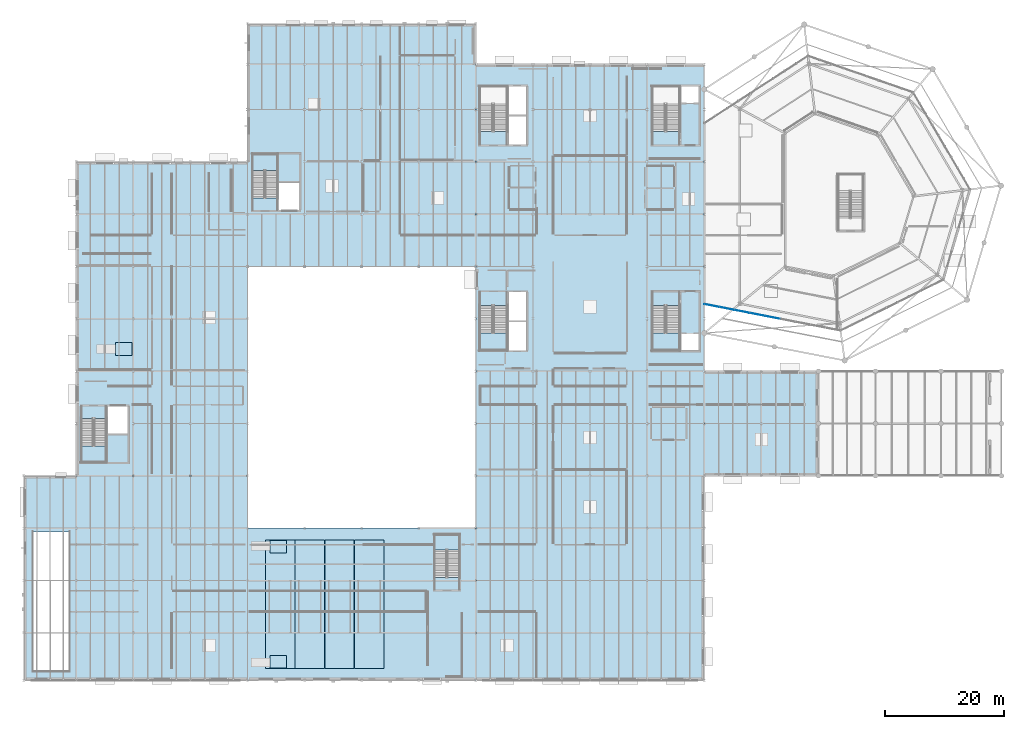
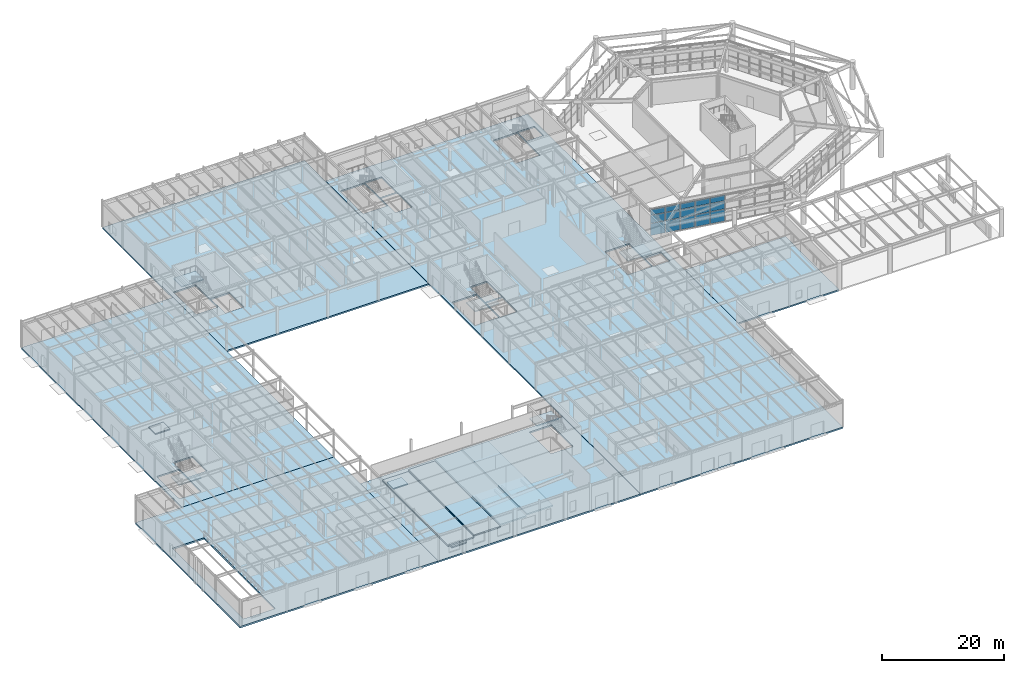
# One storey, part 37 of 70: 18 slabs, 15 plates, 7 elements without a shape of their own.
"""IFC4 building model written with IfcOpenShell, lengths in metres."""

from ifc_helpers import new_model, si_unit, direction, frame, origin, origin_2d, place, context, subcontext, project, spatial, polyline, rectangle, outline, extrude, material, layer, layer_set, type_object, element, aggregate, save


model = new_model("IFC4")

# Units and contexts
model_context = context("Model", 3, precision=1e-05, world=origin(), true_north=direction((0.0, 1.0)))
body_context = subcontext(model_context, "Body", "Model", "MODEL_VIEW")
ifc_project = project(units=[si_unit("LENGTHUNIT", "METRE"), si_unit("AREAUNIT", "SQUARE_METRE"), si_unit("VOLUMEUNIT", "CUBIC_METRE"), si_unit("PLANEANGLEUNIT", "RADIAN"), si_unit("MASSUNIT", "GRAM", prefix="KILO")], contexts=[model_context])

# Site, building, storey
site_placement = place(None, origin())
site = spatial("IfcSite", under=ifc_project, at=site_placement, CompositionType="ELEMENT")
building_placement = place(site_placement, origin())
building = spatial("IfcBuilding", under=site, at=building_placement, Name="Sarnbrook Museum", CompositionType="ELEMENT")
storey_placement = place(building_placement, origin())
storey = spatial("IfcBuildingStorey", under=building, at=storey_placement, Name="L00", CompositionType="ELEMENT", Elevation=0.0)

# Curtain wall, plates
ifc_material_1 = material(Name="Thermally Broken Anodised Aluminium 6063-T6", Category="aluminium")
curtain_wall_type = type_object("IfcCurtainWallType", Name="CurtainWall_Colonnade", PredefinedType="NOTDEFINED", material=ifc_material_1)
curtain_wall_1_placement = place(storey_placement, origin())
curtain_wall_1 = element("IfcCurtainWall", 1, at=curtain_wall_1_placement, inside=storey, type_object=curtain_wall_type, Name="Colonnade Recessed Glazing L00-F1.1", PredefinedType="NOTDEFINED")
ifc_material_2 = material(Name="Double-Glazed Low-Iron Laminated Safety Glass", Category="glass")
ifc_layer_1 = layer(ifc_material_2, 0.031982421875)
ifc_layer_set_1 = layer_set([ifc_layer_1], Name="Double-Glazed Low-Iron Laminated Safety Glass")
plate_type = type_object("IfcPlateType", Name="CW_GlazedPanel_32", PredefinedType="CURTAIN_PANEL", material=ifc_layer_set_1)
plate_1_placement = place(storey_placement, frame((120.475341796875, 67.849853515625, 1.22509765625), z_axis=(-0.191314393013, -0.981528809066, 0.0), x_axis=(0.981528809066, -0.191314393013, 0.0)))
plate_1 = element("IfcPlate", 2, at=plate_1_placement, type_object=plate_type, Name="Colonnade Recessed Glazing L00-F1.1 Glazed Panel 1-1", PredefinedType="CURTAIN_PANEL", context=body_context, shape_type="SweptSolid", body=[
    extrude(rectangle(XDim=2.52001953125, YDim=2.3798828125, at=origin_2d()), origin(), (0.0, 0.0, 1.0), 0.031982421875),
])
plate_2_placement = place(storey_placement, frame((120.475341796875, 67.849853515625, 3.27490234375), z_axis=(-0.191314393013, -0.981528809066, 0.0), x_axis=(0.981528809066, -0.191314393013, 0.0)))
plate_2 = element("IfcPlate", 3, at=plate_2_placement, type_object=plate_type, Name="Colonnade Recessed Glazing L00-F1.1 Glazed Panel 1-2", PredefinedType="CURTAIN_PANEL", context=body_context, shape_type="SweptSolid", body=[
    extrude(rectangle(XDim=2.52001953125, YDim=1.580078125, at=origin_2d()), origin(), (0.0, 0.0, 1.0), 0.031982421875),
])
plate_3_placement = place(storey_placement, frame((120.475341796875, 67.849853515625, 4.695068359375), z_axis=(-0.191314393013, -0.981528809066, 0.0), x_axis=(0.981528809066, -0.191314393013, 0.0)))
plate_3 = element("IfcPlate", 4, at=plate_3_placement, type_object=plate_type, Name="Colonnade Recessed Glazing L00-F1.1 Glazed Panel 1-3", PredefinedType="CURTAIN_PANEL", context=body_context, shape_type="SweptSolid", body=[
    extrude(rectangle(XDim=2.52001953125, YDim=1.1201171875, at=origin_2d()), origin(), (0.0, 0.0, 1.0), 0.031982421875),
])
plate_4_placement = place(storey_placement, frame((123.0224609375, 67.353271484375, 1.22509765625), z_axis=(-0.191314393013, -0.981528809066, 0.0), x_axis=(0.981528809066, -0.191314393013, 0.0)))
plate_4 = element("IfcPlate", 5, at=plate_4_placement, type_object=plate_type, Name="Colonnade Recessed Glazing L00-F1.1 Glazed Panel 2-1", PredefinedType="CURTAIN_PANEL", context=body_context, shape_type="SweptSolid", body=[
    extrude(rectangle(XDim=2.52001953125, YDim=2.3798828125, at=origin_2d()), origin(), (0.0, 0.0, 1.0), 0.031982421875),
])
plate_5_placement = place(storey_placement, frame((123.0224609375, 67.353271484375, 3.27490234375), z_axis=(-0.191314393013, -0.981528809066, 0.0), x_axis=(0.981528809066, -0.191314393013, 0.0)))
plate_5 = element("IfcPlate", 6, at=plate_5_placement, type_object=plate_type, Name="Colonnade Recessed Glazing L00-F1.1 Glazed Panel 2-2", PredefinedType="CURTAIN_PANEL", context=body_context, shape_type="SweptSolid", body=[
    extrude(rectangle(XDim=2.52001953125, YDim=1.580078125, at=origin_2d()), origin(), (0.0, 0.0, 1.0), 0.031982421875),
])
plate_6_placement = place(storey_placement, frame((123.0224609375, 67.353271484375, 4.695068359375), z_axis=(-0.191314393013, -0.981528809066, 0.0), x_axis=(0.981528809066, -0.191314393013, 0.0)))
plate_6 = element("IfcPlate", 7, at=plate_6_placement, type_object=plate_type, Name="Colonnade Recessed Glazing L00-F1.1 Glazed Panel 2-3", PredefinedType="CURTAIN_PANEL", context=body_context, shape_type="SweptSolid", body=[
    extrude(rectangle(XDim=2.52001953125, YDim=1.1201171875, at=origin_2d()), origin(), (0.0, 0.0, 1.0), 0.031982421875),
])
plate_7_placement = place(storey_placement, frame((125.569580078125, 66.85693359375, 1.22509765625), z_axis=(-0.191314393013, -0.981528809066, 0.0), x_axis=(0.981528809066, -0.191314393013, 0.0)))
plate_7 = element("IfcPlate", 8, at=plate_7_placement, type_object=plate_type, Name="Colonnade Recessed Glazing L00-F1.1 Glazed Panel 3-1", PredefinedType="CURTAIN_PANEL", context=body_context, shape_type="SweptSolid", body=[
    extrude(rectangle(XDim=2.52001953125, YDim=2.3798828125, at=origin_2d()), origin(), (0.0, 0.0, 1.0), 0.031982421875),
])
plate_8_placement = place(storey_placement, frame((125.569580078125, 66.85693359375, 3.27490234375), z_axis=(-0.191314393013, -0.981528809066, 0.0), x_axis=(0.981528809066, -0.191314393013, 0.0)))
plate_8 = element("IfcPlate", 9, at=plate_8_placement, type_object=plate_type, Name="Colonnade Recessed Glazing L00-F1.1 Glazed Panel 3-2", PredefinedType="CURTAIN_PANEL", context=body_context, shape_type="SweptSolid", body=[
    extrude(rectangle(XDim=2.52001953125, YDim=1.580078125, at=origin_2d()), origin(), (0.0, 0.0, 1.0), 0.031982421875),
])
plate_9_placement = place(storey_placement, frame((125.569580078125, 66.85693359375, 4.695068359375), z_axis=(-0.191314393013, -0.981528809066, 0.0), x_axis=(0.981528809066, -0.191314393013, 0.0)))
plate_9 = element("IfcPlate", 10, at=plate_9_placement, type_object=plate_type, Name="Colonnade Recessed Glazing L00-F1.1 Glazed Panel 3-3", PredefinedType="CURTAIN_PANEL", context=body_context, shape_type="SweptSolid", body=[
    extrude(rectangle(XDim=2.52001953125, YDim=1.1201171875, at=origin_2d()), origin(), (0.0, 0.0, 1.0), 0.031982421875),
])
aggregate(curtain_wall_1, [plate_1, plate_2, plate_3, plate_4, plate_5, plate_6, plate_7, plate_8, plate_9])

curtain_wall_2_placement = place(storey_placement, origin())
curtain_wall_2 = element("IfcCurtainWall", 11, at=curtain_wall_2_placement, inside=storey, type_object=curtain_wall_type, Name="Colonnade Recessed Glazing L00-F1.2", PredefinedType="NOTDEFINED")
plate_10_placement = place(storey_placement, frame((128.116943359375, 66.3603515625, 1.22509765625), z_axis=(-0.191314393013, -0.981528809066, 0.0), x_axis=(0.981528809066, -0.191314393013, 0.0)))
plate_10 = element("IfcPlate", 12, at=plate_10_placement, type_object=plate_type, Name="Colonnade Recessed Glazing L00-F1.2 Glazed Panel 1-1", PredefinedType="CURTAIN_PANEL", context=body_context, shape_type="SweptSolid", body=[
    extrude(rectangle(XDim=2.52001953125, YDim=2.3798828125, at=origin_2d()), origin(), (0.0, 0.0, 1.0), 0.031982421875),
])
plate_11_placement = place(storey_placement, frame((128.116943359375, 66.3603515625, 3.27490234375), z_axis=(-0.191314393013, -0.981528809066, 0.0), x_axis=(0.981528809066, -0.191314393013, 0.0)))
plate_11 = element("IfcPlate", 13, at=plate_11_placement, type_object=plate_type, Name="Colonnade Recessed Glazing L00-F1.2 Glazed Panel 1-2", PredefinedType="CURTAIN_PANEL", context=body_context, shape_type="SweptSolid", body=[
    extrude(rectangle(XDim=2.52001953125, YDim=1.580078125, at=origin_2d()), origin(), (0.0, 0.0, 1.0), 0.031982421875),
])
plate_12_placement = place(storey_placement, frame((128.116943359375, 66.3603515625, 4.695068359375), z_axis=(-0.191314393013, -0.981528809066, 0.0), x_axis=(0.981528809066, -0.191314393013, 0.0)))
plate_12 = element("IfcPlate", 14, at=plate_12_placement, type_object=plate_type, Name="Colonnade Recessed Glazing L00-F1.2 Glazed Panel 1-3", PredefinedType="CURTAIN_PANEL", context=body_context, shape_type="SweptSolid", body=[
    extrude(rectangle(XDim=2.52001953125, YDim=1.1201171875, at=origin_2d()), origin(), (0.0, 0.0, 1.0), 0.031982421875),
])
plate_13_placement = place(storey_placement, frame((130.6640625, 65.86376953125, 1.22509765625), z_axis=(-0.191314393013, -0.981528809066, 0.0), x_axis=(0.981528809066, -0.191314393013, 0.0)))
plate_13 = element("IfcPlate", 15, at=plate_13_placement, type_object=plate_type, Name="Colonnade Recessed Glazing L00-F1.2 Glazed Panel 2-1", PredefinedType="CURTAIN_PANEL", context=body_context, shape_type="SweptSolid", body=[
    extrude(rectangle(XDim=2.52001953125, YDim=2.3798828125, at=origin_2d()), origin(), (0.0, 0.0, 1.0), 0.031982421875),
])
plate_14_placement = place(storey_placement, frame((130.6640625, 65.86376953125, 3.27490234375), z_axis=(-0.191314393013, -0.981528809066, 0.0), x_axis=(0.981528809066, -0.191314393013, 0.0)))
plate_14 = element("IfcPlate", 16, at=plate_14_placement, type_object=plate_type, Name="Colonnade Recessed Glazing L00-F1.2 Glazed Panel 2-2", PredefinedType="CURTAIN_PANEL", context=body_context, shape_type="SweptSolid", body=[
    extrude(rectangle(XDim=2.52001953125, YDim=1.580078125, at=origin_2d()), origin(), (0.0, 0.0, 1.0), 0.031982421875),
])
plate_15_placement = place(storey_placement, frame((130.6640625, 65.86376953125, 4.695068359375), z_axis=(-0.191314393013, -0.981528809066, 0.0), x_axis=(0.981528809066, -0.191314393013, 0.0)))
plate_15 = element("IfcPlate", 17, at=plate_15_placement, type_object=plate_type, Name="Colonnade Recessed Glazing L00-F1.2 Glazed Panel 2-3", PredefinedType="CURTAIN_PANEL", context=body_context, shape_type="SweptSolid", body=[
    extrude(rectangle(XDim=2.52001953125, YDim=1.1201171875, at=origin_2d()), origin(), (0.0, 0.0, 1.0), 0.031982421875),
])
aggregate(curtain_wall_2, [plate_10, plate_11, plate_12, plate_13, plate_14, plate_15])

# Slabs
ifc_material_3 = material(Name="Concrete N40 (AS 3600, f'c = 40 MPa)", Category="concrete")
ifc_layer_2 = layer(ifc_material_3, 0.2900390625)
ifc_layer_set_2 = layer_set([ifc_layer_2], Name="Concrete N40 (AS 3600, f'c = 40 MPa)")
slab_type_1 = type_object("IfcSlabType", Name="FloorSlab_290", PredefinedType="FLOOR", material=ifc_layer_set_2)
slab_1_placement = place(storey_placement, frame((0.0, 0.0, -0.2900390625)))
element("IfcSlab", 18, at=slab_1_placement, inside=storey, type_object=slab_type_1, Name="V3E Structural Slab L00", PredefinedType="FLOOR", context=body_context, shape_type="SweptSolid", body=[
    extrude(outline(polyline([(138.364990234375, 56.800048828125), (138.364990234375, 39.199951171875), (119.2041015625, 39.199951171875), (119.2041015625, 56.800048828125), (138.364990234375, 56.800048828125)])), origin(), (0.0, 0.0, 1.0), 0.2900390625),
])
ifc_layer_3 = layer(ifc_material_3, 0.300048828125)
ifc_layer_set_3 = layer_set([ifc_layer_3], Name="Concrete N40 (AS 3600, f'c = 40 MPa)")
slab_type_2 = type_object("IfcSlabType", Name="FloorSlab_300", PredefinedType="FLOOR", material=ifc_layer_set_3)
slab_2_placement = place(storey_placement, frame((0.0, 0.0, -0.300048828125)))
element("IfcSlab", 19, at=slab_2_placement, inside=storey, type_object=slab_type_2, Name="V2 Structural Slab L00", PredefinedType="FLOOR", context=body_context, shape_type="SweptSolid", body=[
    extrude(outline(polyline([(80.8349609375, 4.800048828125), (80.8349609375, 108.39990234375), (119.199951171875, 108.39990234375), (119.199951171875, 98.48291015625), (119.196044921875, 98.48046875), (119.196044921875, 68.0869140625), (119.199951171875, 68.086181640625), (119.199951171875, 4.800048828125), (80.8349609375, 4.800048828125)]), holes=[polyline([(115.199951171875, 63.179931640625), (118.39990234375, 63.179931640625), (118.39990234375, 60.199951171875), (115.199951171875, 60.199951171875), (115.199951171875, 63.179931640625)]), polyline([(86.199951171875, 65.179931640625), (89.39990234375, 65.179931640625), (89.39990234375, 60.199951171875), (86.199951171875, 60.199951171875), (86.199951171875, 65.179931640625)]), polyline([(81.43994140625, 67.879638671875), (86.06005859375, 67.879638671875), (86.06005859375, 60.300048828125), (81.43994140625, 60.300048828125), (81.43994140625, 67.879638671875)]), polyline([(115.06005859375, 67.879638671875), (115.06005859375, 60.300048828125), (110.43994140625, 60.300048828125), (110.43994140625, 67.879638671875), (115.06005859375, 67.879638671875)]), polyline([(89.39990234375, 70.199951171875), (89.39990234375, 65.219970703125), (86.199951171875, 65.219970703125), (86.199951171875, 70.199951171875), (89.39990234375, 70.199951171875)]), polyline([(86.199951171875, 99.780029296875), (89.39990234375, 99.780029296875), (89.39990234375, 94.800048828125), (86.199951171875, 94.800048828125), (86.199951171875, 99.780029296875)]), polyline([(81.43994140625, 104.699951171875), (86.06005859375, 104.699951171875), (86.06005859375, 97.120361328125), (81.43994140625, 97.120361328125), (81.43994140625, 104.699951171875)]), polyline([(110.43994140625, 104.699951171875), (115.06005859375, 104.699951171875), (115.06005859375, 97.120361328125), (110.43994140625, 97.120361328125), (110.43994140625, 104.699951171875)]), polyline([(89.39990234375, 99.820068359375), (86.199951171875, 99.820068359375), (86.199951171875, 104.800048828125), (89.39990234375, 104.800048828125), (89.39990234375, 99.820068359375)]), polyline([(118.39990234375, 101.820068359375), (115.199951171875, 101.820068359375), (115.199951171875, 104.800048828125), (118.39990234375, 104.800048828125), (118.39990234375, 101.820068359375)])]), origin(), (0.0, 0.0, 1.0), 0.300048828125),
])
slab_3_placement = place(storey_placement, frame((0.0, 0.0, -0.300048828125)))
element("IfcSlab", 20, at=slab_3_placement, inside=storey, type_object=slab_type_2, Name="V4 Structural Slab L00", PredefinedType="FLOOR", context=body_context, shape_type="SweptSolid", body=[
    extrude(outline(polyline([(42.39990234375, 39.199951171875), (13.60009765625, 39.199951171875), (13.60009765625, 92.0), (42.39990234375, 92.0), (42.39990234375, 39.199951171875)]), holes=[polyline([(18.639892578125, 41.5), (14.43994140625, 41.5), (14.43994140625, 48.879638671875), (18.639892578125, 48.879638671875), (18.639892578125, 41.5)]), polyline([(22.39990234375, 46.179931640625), (18.780029296875, 46.179931640625), (18.780029296875, 51.0), (22.39990234375, 51.0), (22.39990234375, 46.179931640625)])]), origin(), (0.0, 0.0, 1.0), 0.300048828125),
])
ifc_layer_4 = layer(ifc_material_3, 0.31005859375)
ifc_layer_set_4 = layer_set([ifc_layer_4], Name="Concrete N40 (AS 3600, f'c = 40 MPa)")
slab_type_3 = type_object("IfcSlabType", Name="FloorSlab_310", PredefinedType="FLOOR", material=ifc_layer_set_4)
slab_4_placement = place(storey_placement, frame((0.0, 0.0, -0.31005859375)))
element("IfcSlab", 21, at=slab_4_placement, inside=storey, type_object=slab_type_3, Name="V5N Structural Slab L00", PredefinedType="FLOOR", context=body_context, shape_type="SweptSolid", body=[
    extrude(outline(polyline([(80.764892578125, 115.199951171875), (80.764892578125, 74.39990234375), (42.404052734375, 74.39990234375), (42.404052734375, 92.00390625), (42.39990234375, 92.00390625), (42.39990234375, 115.199951171875), (80.764892578125, 115.199951171875)]), holes=[polyline([(51.199951171875, 83.800048828125), (47.580078125, 83.800048828125), (47.580078125, 88.6201171875), (51.199951171875, 88.6201171875), (51.199951171875, 83.800048828125)]), polyline([(47.43994140625, 85.92041015625), (43.239990234375, 85.92041015625), (43.239990234375, 93.300048828125), (47.43994140625, 93.300048828125), (47.43994140625, 85.92041015625)])]), origin(), (0.0, 0.0, 1.0), 0.31005859375),
])
ifc_layer_5 = layer(ifc_material_3, 0.320068359375)
ifc_layer_set_5 = layer_set([ifc_layer_5], Name="Concrete N40 (AS 3600, f'c = 40 MPa)")
slab_type_4 = type_object("IfcSlabType", Name="FloorSlab_320", PredefinedType="FLOOR", material=ifc_layer_set_5)
slab_5_placement = place(storey_placement, frame((0.0, 0.0, -0.320068359375)))
element("IfcSlab", 22, at=slab_5_placement, inside=storey, type_object=slab_type_4, Name="V3 Structural Slab L00", PredefinedType="FLOOR", context=body_context, shape_type="SweptSolid", body=[
    extrude(outline(polyline([(80.764892578125, 30.39990234375), (80.764892578125, 4.800048828125), (42.39990234375, 4.800048828125), (42.39990234375, 30.39990234375), (80.764892578125, 30.39990234375)]), holes=[polyline([(78.0400390625, 29.300048828125), (78.0400390625, 22.120361328125), (73.840087890625, 22.120361328125), (73.840087890625, 29.300048828125), (78.0400390625, 29.300048828125)])]), origin(), (0.0, 0.0, 1.0), 0.320068359375),
])
ifc_layer_6 = layer(ifc_material_3, 0.330078125)
ifc_layer_set_6 = layer_set([ifc_layer_6], Name="Concrete N40 (AS 3600, f'c = 40 MPa)")
slab_type_5 = type_object("IfcSlabType", Name="FloorSlab_330", PredefinedType="FLOOR", material=ifc_layer_set_6)
slab_6_placement = place(storey_placement, frame((0.0, 0.0, -0.330078125)))
element("IfcSlab", 23, at=slab_6_placement, inside=storey, type_object=slab_type_5, Name="V5S Structural Slab L00", PredefinedType="FLOOR", context=body_context, shape_type="SweptSolid", body=[
    extrude(outline(polyline([(42.39990234375, 30.404052734375), (42.39599609375, 30.404052734375), (42.39599609375, 4.800048828125), (4.800048828125, 4.800048828125), (4.800048828125, 39.199951171875), (13.595947265625, 39.199951171875), (13.595947265625, 39.196044921875), (42.39990234375, 39.196044921875), (42.39990234375, 30.404052734375)]), holes=[polyline([(12.39990234375, 29.800048828125), (12.39990234375, 6.39990234375), (6.39990234375, 6.39990234375), (6.39990234375, 29.800048828125), (12.39990234375, 29.800048828125)])]), origin(), (0.0, 0.0, 1.0), 0.330078125),
])

# Stair, slab
stair_type_1 = type_object("IfcStairType", Name="Stair_ST02", PredefinedType="HALF_TURN_STAIR", material=ifc_material_3)
stair_1_placement = place(storey_placement, origin())
stair_1 = element("IfcStair", 24, at=stair_1_placement, inside=storey, type_object=stair_type_1, Name="L00 Exit Stair ST1", PredefinedType="HALF_TURN_STAIR")
ifc_layer_7 = layer(ifc_material_3, 0.199951171875)
ifc_layer_set_7 = layer_set([ifc_layer_7], Name="Concrete N40 (AS 3600, f'c = 40 MPa)")
slab_type_6 = type_object("IfcSlabType", Name="Landing_200", PredefinedType="LANDING", material=ifc_layer_set_7)
slab_7_placement = place(storey_placement, frame((0.0, 0.0, 2.60009765625)))
slab_7 = element("IfcSlab", 25, at=slab_7_placement, type_object=slab_type_6, Name="ST1 landing 1", PredefinedType="LANDING", context=body_context, shape_type="SweptSolid", body=[
    extrude(outline(polyline([(110.43994140625, 63.239990234375), (110.43994140625, 60.300048828125), (115.06005859375, 60.300048828125), (115.06005859375, 63.239990234375), (110.43994140625, 63.239990234375)])), origin(), (0.0, 0.0, 1.0), 0.199951171875),
])
aggregate(stair_1, [slab_7])

stair_2_placement = place(storey_placement, origin())
stair_2 = element("IfcStair", 26, at=stair_2_placement, inside=storey, type_object=stair_type_1, Name="L00 Exit Stair ST3", PredefinedType="HALF_TURN_STAIR")
slab_8_placement = place(storey_placement, frame((0.0, 0.0, 2.60009765625)))
slab_8 = element("IfcSlab", 27, at=slab_8_placement, type_object=slab_type_6, Name="ST3 landing 1", PredefinedType="LANDING", context=body_context, shape_type="SweptSolid", body=[
    extrude(outline(polyline([(81.43994140625, 63.239990234375), (81.43994140625, 60.300048828125), (86.06005859375, 60.300048828125), (86.06005859375, 63.239990234375), (81.43994140625, 63.239990234375)])), origin(), (0.0, 0.0, 1.0), 0.199951171875),
])
aggregate(stair_2, [slab_8])

stair_type_2 = type_object("IfcStairType", Name="Stair_ST06", PredefinedType="HALF_TURN_STAIR", material=ifc_material_3)
stair_3_placement = place(storey_placement, origin())
stair_3 = element("IfcStair", 28, at=stair_3_placement, inside=storey, type_object=stair_type_2, Name="L00 Exit Stair ST5", PredefinedType="HALF_TURN_STAIR")
slab_9_placement = place(storey_placement, frame((0.0, 0.0, 2.60009765625)))
slab_9 = element("IfcSlab", 29, at=slab_9_placement, type_object=slab_type_6, Name="ST5 landing 1", PredefinedType="LANDING", context=body_context, shape_type="SweptSolid", body=[
    extrude(outline(polyline([(14.43994140625, 44.239990234375), (14.43994140625, 41.5), (18.639892578125, 41.5), (18.639892578125, 44.239990234375), (14.43994140625, 44.239990234375)])), origin(), (0.0, 0.0, 1.0), 0.199951171875),
])
aggregate(stair_3, [slab_9])

stair_4_placement = place(storey_placement, origin())
stair_4 = element("IfcStair", 30, at=stair_4_placement, inside=storey, type_object=stair_type_2, Name="L00 Exit Stair ST6", PredefinedType="HALF_TURN_STAIR")
slab_10_placement = place(storey_placement, frame((0.0, 0.0, 2.60009765625)))
slab_10 = element("IfcSlab", 31, at=slab_10_placement, type_object=slab_type_6, Name="ST6 landing 1", PredefinedType="LANDING", context=body_context, shape_type="SweptSolid", body=[
    extrude(outline(polyline([(47.43994140625, 90.56005859375), (47.43994140625, 93.300048828125), (43.239990234375, 93.300048828125), (43.239990234375, 90.56005859375), (47.43994140625, 90.56005859375)])), origin(), (0.0, 0.0, 1.0), 0.199951171875),
])
aggregate(stair_4, [slab_10])

stair_5_placement = place(storey_placement, origin())
stair_5 = element("IfcStair", 32, at=stair_5_placement, inside=storey, type_object=stair_type_2, Name="L00 Exit Stair ST8", PredefinedType="HALF_TURN_STAIR")
slab_11_placement = place(storey_placement, frame((0.0, 0.0, 2.60009765625)))
slab_11 = element("IfcSlab", 33, at=slab_11_placement, type_object=slab_type_6, Name="ST8 landing 1", PredefinedType="LANDING", context=body_context, shape_type="SweptSolid", body=[
    extrude(outline(polyline([(78.0400390625, 26.760009765625), (78.0400390625, 29.300048828125), (73.840087890625, 29.300048828125), (73.840087890625, 26.760009765625), (78.0400390625, 26.760009765625)])), origin(), (0.0, 0.0, 1.0), 0.199951171875),
])
aggregate(stair_5, [slab_11])

# Slabs
ifc_layer_8 = layer(ifc_material_3, 0.219970703125)
ifc_layer_set_8 = layer_set([ifc_layer_8], Name="Concrete N40 (AS 3600, f'c = 40 MPa)")
slab_type_7 = type_object("IfcSlabType", Name="PlinthSlab_220", PredefinedType="FLOOR", material=ifc_layer_set_8)
slab_12_placement = place(storey_placement, origin())
element("IfcSlab", 34, at=slab_12_placement, inside=storey, type_object=slab_type_7, Name="Accessible Exhibition Plinth Landing AR1", PredefinedType="FLOOR", context=body_context, shape_type="SweptSolid", body=[
    extrude(outline(polyline([(46.199951171875, 6.89990234375), (49.0, 6.89990234375), (49.0, 9.0), (46.199951171875, 9.0), (46.199951171875, 6.89990234375)])), origin(), (0.0, 0.0, 1.0), 0.219970703125),
])
slab_13_placement = place(storey_placement, origin())
element("IfcSlab", 35, at=slab_13_placement, inside=storey, type_object=slab_type_7, Name="Accessible Exhibition Plinth Landing AR2", PredefinedType="FLOOR", context=body_context, shape_type="SweptSolid", body=[
    extrude(outline(polyline([(46.199951171875, 26.199951171875), (49.0, 26.199951171875), (49.0, 28.300048828125), (46.199951171875, 28.300048828125), (46.199951171875, 26.199951171875)])), origin(), (0.0, 0.0, 1.0), 0.219970703125),
])
slab_14_placement = place(storey_placement, origin())
element("IfcSlab", 36, at=slab_14_placement, inside=storey, type_object=slab_type_7, Name="Accessible Exhibition Plinth Landing AR3", PredefinedType="FLOOR", context=body_context, shape_type="SweptSolid", body=[
    extrude(outline(polyline([(20.199951171875, 59.39990234375), (23.0, 59.39990234375), (23.0, 61.60009765625), (20.199951171875, 61.60009765625), (20.199951171875, 59.39990234375)])), origin(), (0.0, 0.0, 1.0), 0.219970703125),
])
ifc_material_4 = material(Name="Precast Concrete N40 (AS 3600, f'c = 40 MPa)", Category="concrete")
ifc_layer_9 = layer(ifc_material_4, 0.239990234375)
ifc_layer_set_9 = layer_set([ifc_layer_9], Name="Precast Concrete N40 (AS 3600, f'c = 40 MPa)")
slab_type_8 = type_object("IfcSlabType", Name="SeatingTier_ST1", PredefinedType="USERDEFINED", material=ifc_layer_set_9)
slab_15_placement = place(storey_placement, frame((0.0, 0.0, 0.6298828125)))
element("IfcSlab", 37, at=slab_15_placement, inside=storey, type_object=slab_type_8, Name="Auditorium Stalls Raked Seating Tier 1", ObjectType="SEATING TIER", PredefinedType="USERDEFINED", context=body_context, shape_type="SweptSolid", body=[
    extrude(outline(polyline([(45.39990234375, 6.800048828125), (50.35009765625, 6.800048828125), (50.35009765625, 28.39990234375), (45.39990234375, 28.39990234375), (45.39990234375, 6.800048828125)])), origin(), (0.0, 0.0, 1.0), 0.240234375),
])
ifc_layer_10 = layer(ifc_material_4, 0.25)
ifc_layer_set_10 = layer_set([ifc_layer_10], Name="Precast Concrete N40 (AS 3600, f'c = 40 MPa)")
slab_type_9 = type_object("IfcSlabType", Name="SeatingTier_ST2", PredefinedType="USERDEFINED", material=ifc_layer_set_10)
slab_16_placement = place(storey_placement, frame((0.0, 0.0, 0.969970703125)))
element("IfcSlab", 38, at=slab_16_placement, inside=storey, type_object=slab_type_9, Name="Auditorium Stalls Raked Seating Tier 2", ObjectType="SEATING TIER", PredefinedType="USERDEFINED", context=body_context, shape_type="SweptSolid", body=[
    extrude(outline(polyline([(50.39990234375, 6.800048828125), (55.35009765625, 6.800048828125), (55.35009765625, 28.39990234375), (50.39990234375, 28.39990234375), (50.39990234375, 6.800048828125)])), origin(), (0.0, 0.0, 1.0), 0.25),
])
ifc_layer_11 = layer(ifc_material_4, 0.260009765625)
ifc_layer_set_11 = layer_set([ifc_layer_11], Name="Precast Concrete N40 (AS 3600, f'c = 40 MPa)")
slab_type_10 = type_object("IfcSlabType", Name="SeatingTier_ST3", PredefinedType="USERDEFINED", material=ifc_layer_set_11)
slab_17_placement = place(storey_placement, frame((0.0, 0.0, 1.31005859375)))
element("IfcSlab", 39, at=slab_17_placement, inside=storey, type_object=slab_type_10, Name="Auditorium Stalls Raked Seating Tier 3", ObjectType="SEATING TIER", PredefinedType="USERDEFINED", context=body_context, shape_type="SweptSolid", body=[
    extrude(outline(polyline([(55.39990234375, 6.800048828125), (60.35009765625, 6.800048828125), (60.35009765625, 28.39990234375), (55.39990234375, 28.39990234375), (55.39990234375, 6.800048828125)])), origin(), (0.0, 0.0, 1.0), 0.260009765625),
])
ifc_layer_12 = layer(ifc_material_4, 0.27001953125)
ifc_layer_set_12 = layer_set([ifc_layer_12], Name="Precast Concrete N40 (AS 3600, f'c = 40 MPa)")
slab_type_11 = type_object("IfcSlabType", Name="SeatingTier_ST4", PredefinedType="USERDEFINED", material=ifc_layer_set_12)
slab_18_placement = place(storey_placement, frame((0.0, 0.0, 1.64990234375)))
element("IfcSlab", 40, at=slab_18_placement, inside=storey, type_object=slab_type_11, Name="Auditorium Stalls Raked Seating Tier 4", ObjectType="SEATING TIER", PredefinedType="USERDEFINED", context=body_context, shape_type="SweptSolid", body=[
    extrude(outline(polyline([(60.39990234375, 6.800048828125), (65.35009765625, 6.800048828125), (65.35009765625, 28.39990234375), (60.39990234375, 28.39990234375), (60.39990234375, 6.800048828125)])), origin(), (0.0, 0.0, 1.0), 0.27001953125),
])

save(model, "model.ifc")
